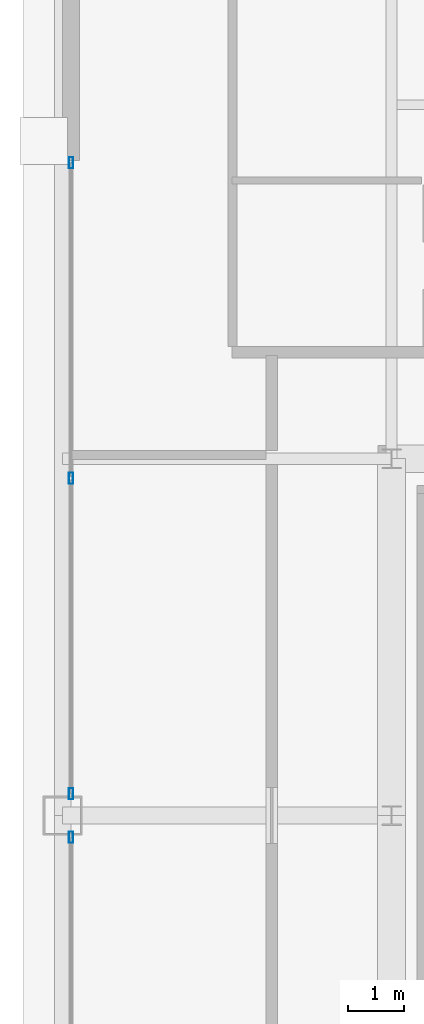
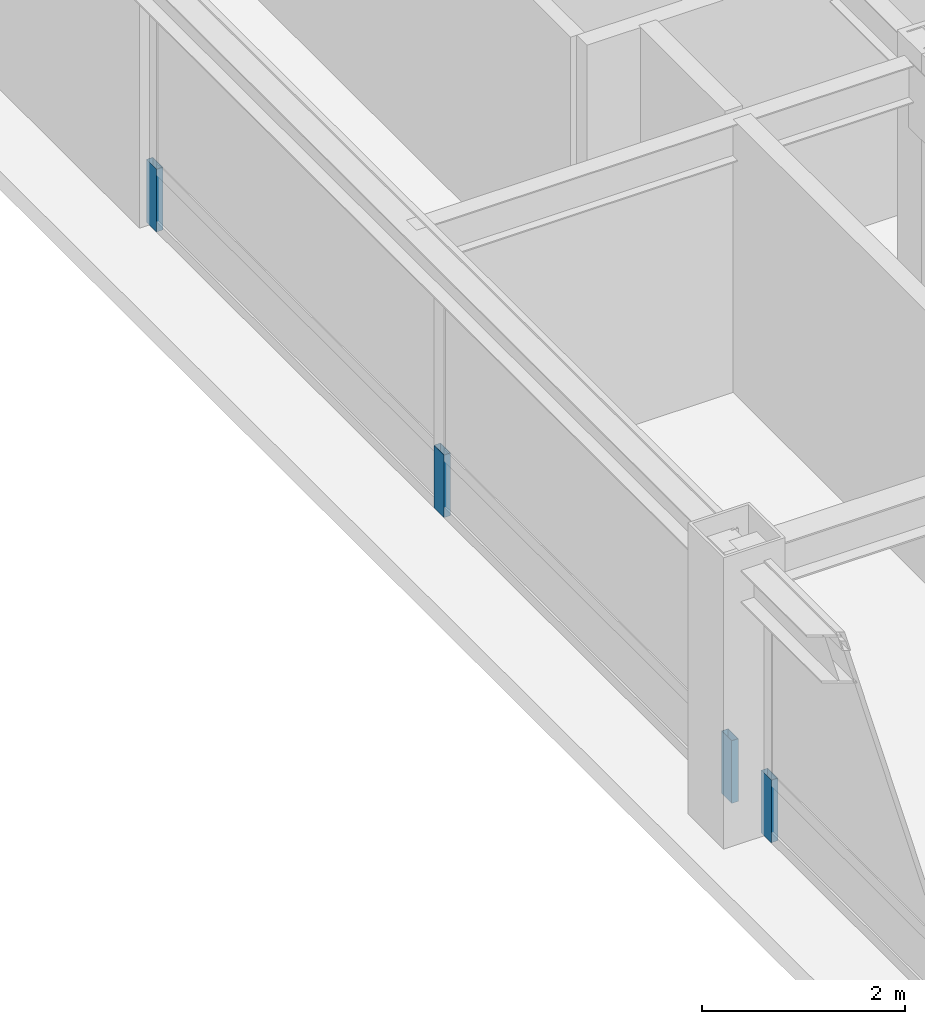
# One storey, part 24 of 34: 4 members, 2 elements without a shape of their own.
"""IFC4 building model written with IfcOpenShell, lengths in metres."""

from ifc_helpers import new_model, si_unit, direction, frame, origin, origin_2d, place, context, subcontext, project, spatial, hollow_rectangle, extrude, source, transform, mapped, material, layer, layer_set, material_profile, profile_set, type_object, element, aggregate, save


model = new_model("IFC4")

# Units and contexts
model_context = context("Model", 3, precision=1e-05, world=origin(), true_north=direction((0.0, 1.0)))
body_context = subcontext(model_context, "Body", "Model", "MODEL_VIEW")
ifc_project = project(units=[si_unit("LENGTHUNIT", "METRE"), si_unit("AREAUNIT", "SQUARE_METRE"), si_unit("VOLUMEUNIT", "CUBIC_METRE"), si_unit("PLANEANGLEUNIT", "RADIAN"), si_unit("MASSUNIT", "GRAM", prefix="KILO"), si_unit("THERMODYNAMICTEMPERATUREUNIT", "KELVIN"), si_unit("POWERUNIT", "WATT")], contexts=[model_context])

# Site, building, storey
site_placement = place(None, origin())
site = spatial("IfcSite", under=ifc_project, at=site_placement, CompositionType="ELEMENT")
building_placement = place(site_placement, origin())
building = spatial("IfcBuilding", under=site, at=building_placement, Name="Yuzanri Waterfront Tower", CompositionType="ELEMENT")
storey_placement = place(building_placement, frame((0.0, 0.0, 325.199951171875)))
storey = spatial("IfcBuildingStorey", under=building, at=storey_placement, Name="L87", CompositionType="ELEMENT", Elevation=325.199951171875)

# Curtain wall, member
ifc_material_1 = material(Name="Anodized Architectural Bronze", Category="metal")
ifc_layer = layer(ifc_material_1, 0.159912109375)
ifc_layer_set = layer_set([ifc_layer], Name="Anodized Architectural Bronze")
curtain_wall_type = type_object("IfcCurtainWallType", Name="Anodized Bronze High-Rise Penthouse High-Wind Unitized Curtain Wall 6900", PredefinedType="NOTDEFINED", material=ifc_layer_set)
curtain_wall_1_placement = place(storey_placement, origin())
curtain_wall_1 = element("IfcCurtainWall", 1, at=curtain_wall_1_placement, inside=storey, type_object=curtain_wall_type, Name="L87 Curtain Wall CW-L87-WL", PredefinedType="NOTDEFINED")
ifc_material_2 = material(Name="Anodized Architectural Bronze", Category="metal")
ifc_material_profile = material_profile(ifc_material_2, hollow_rectangle(XDim=0.074951171875, YDim=0.199951171875, WallThickness=0.00390625, at=origin_2d()), Name="CWM 75x200")
ifc_profile_set = profile_set([ifc_material_profile], Name="Anodized Architectural Bronze")
member_type = type_object("IfcMemberType", Name="Anodized Bronze Primary Curtain-Wall Mullion 75x200", PredefinedType="MULLION", material=ifc_profile_set)
shared_shape = source(origin(), body_context, "Body", "SweptSolid", [
    extrude(hollow_rectangle(XDim=0.074951171875, YDim=0.199951171875, WallThickness=0.00390625, at=origin_2d()), origin(), (0.0, 0.0, 1.0), 0.751953125),
])
member_1_placement = place(storey_placement, frame((18.050048828125, 25.409912109375, 0.0), z_axis=(0.0, 0.0, 1.0), x_axis=(1.0, 0.0, 0.0)))
member_1 = element("IfcMember", 2, at=member_1_placement, type_object=member_type, Name="CW-L87-WL Lower Mullion 02", PredefinedType="MULLION", context=body_context, shape_type="MappedRepresentation", body=[
    mapped(shared_shape, transform((0.0, 0.0, 0.0), scale=1.0)),
])
aggregate(curtain_wall_1, [member_1])

# Curtain wall, members
curtain_wall_2_placement = place(storey_placement, origin())
curtain_wall_2 = element("IfcCurtainWall", 3, at=curtain_wall_2_placement, inside=storey, type_object=curtain_wall_type, Name="L87 Curtain Wall CW-L87-WR", PredefinedType="NOTDEFINED")
member_2_placement = place(storey_placement, frame((18.050048828125, 26.18994140625, 0.0), z_axis=(0.0, 0.0, 1.0), x_axis=(1.0, 0.0, 0.0)))
member_2 = element("IfcMember", 4, at=member_2_placement, type_object=member_type, Name="CW-L87-WR Lower Mullion 00", PredefinedType="MULLION", context=body_context, shape_type="MappedRepresentation", body=[
    mapped(shared_shape, transform((0.0, 0.0, 0.0), scale=1.0)),
])
member_3_placement = place(storey_placement, frame((18.050048828125, 31.85009765625, 0.0), z_axis=(0.0, 0.0, 1.0), x_axis=(1.0, 0.0, 0.0)))
member_3 = element("IfcMember", 5, at=member_3_placement, type_object=member_type, Name="CW-L87-WR Lower Mullion 01", PredefinedType="MULLION", context=body_context, shape_type="MappedRepresentation", body=[
    mapped(shared_shape, transform((0.0, 0.0, 0.0), scale=1.0)),
])
member_4_placement = place(storey_placement, frame((18.050048828125, 37.510009765625, 0.0), z_axis=(0.0, 0.0, 1.0), x_axis=(1.0, 0.0, 0.0)))
member_4 = element("IfcMember", 6, at=member_4_placement, type_object=member_type, Name="CW-L87-WR Lower Mullion 02", PredefinedType="MULLION", context=body_context, shape_type="MappedRepresentation", body=[
    mapped(shared_shape, transform((0.0, 0.0, 0.0), scale=1.0)),
])
aggregate(curtain_wall_2, [member_2, member_3, member_4])

save(model, "model.ifc")
